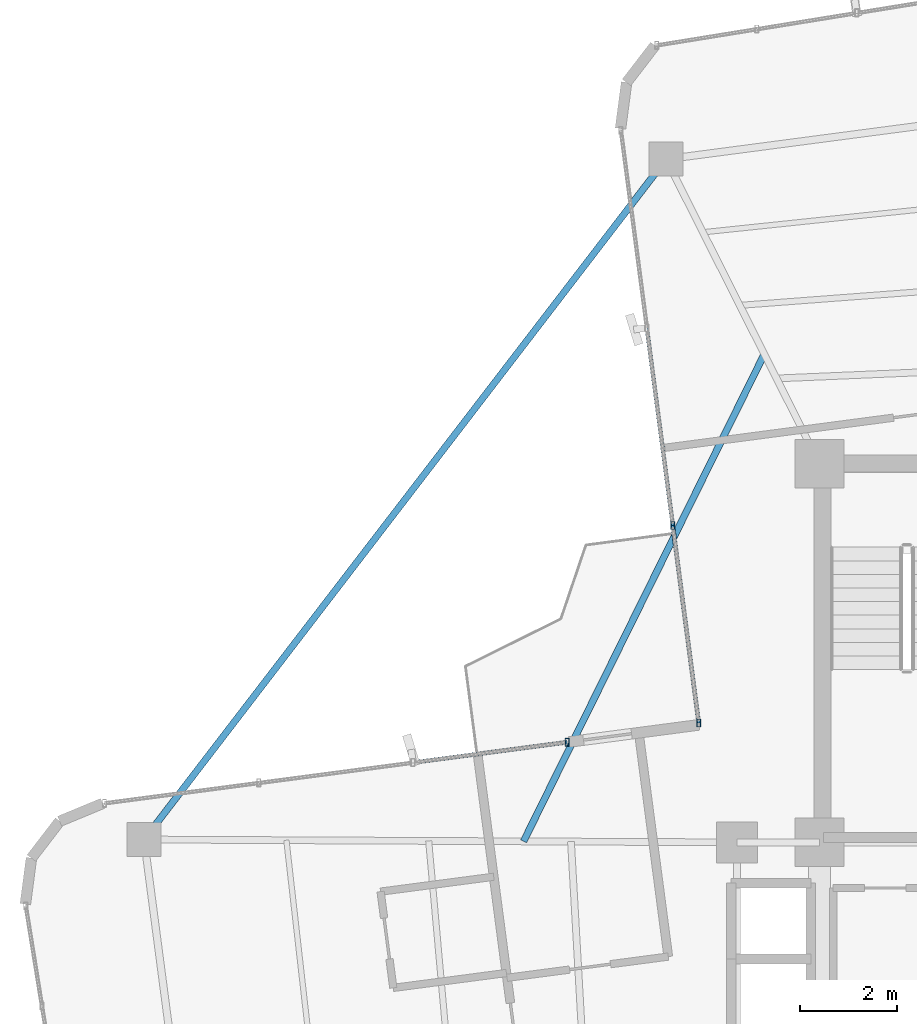
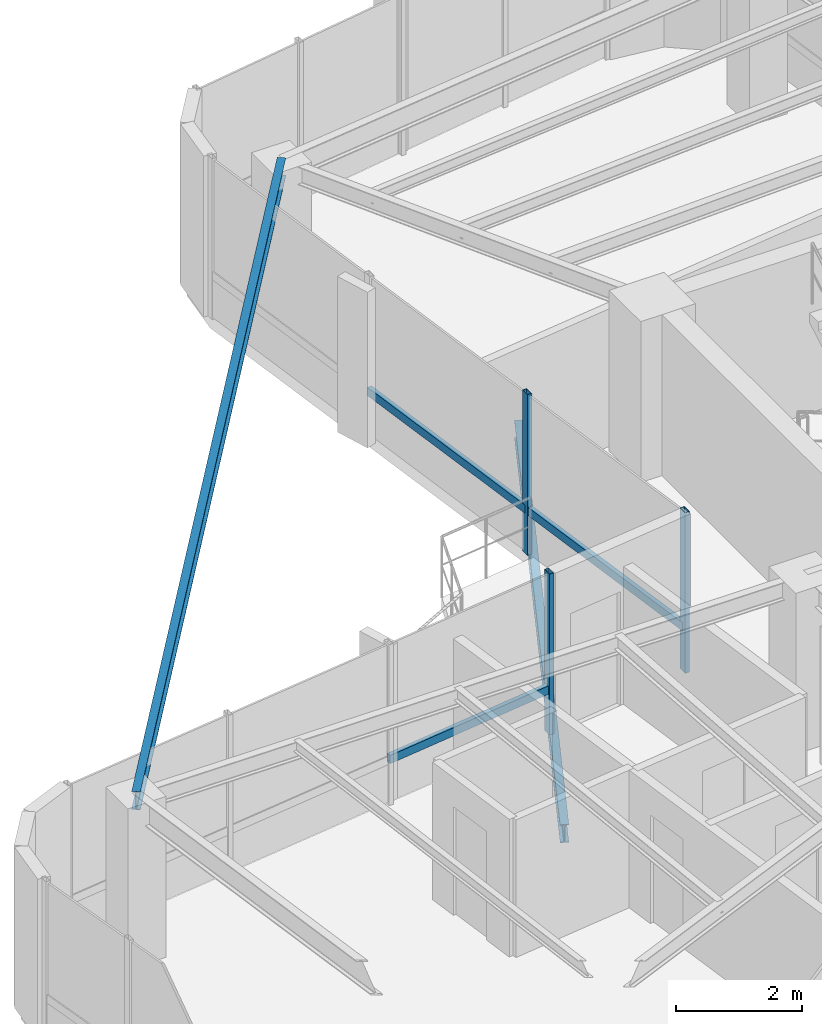
# One storey, part 9 of 22: 6 members, 2 beams, 2 elements without a shape of their own.
"""IFC4 building model written with IfcOpenShell, lengths in metres."""

from ifc_helpers import new_model, si_unit, direction, frame, origin, origin_2d, place, context, subcontext, project, spatial, hollow_rectangle, i_section, extrude, source, transform, mapped, material, material_profile, profile_set, type_object, element, aggregate, save


model = new_model("IFC4")

# Units and contexts
model_context = context("Model", 3, precision=1e-05, world=origin(), true_north=direction((0.0, 1.0)))
body_context = subcontext(model_context, "Body", "Model", "MODEL_VIEW")
ifc_project = project(units=[si_unit("LENGTHUNIT", "METRE"), si_unit("AREAUNIT", "SQUARE_METRE"), si_unit("VOLUMEUNIT", "CUBIC_METRE"), si_unit("PLANEANGLEUNIT", "RADIAN"), si_unit("MASSUNIT", "GRAM", prefix="KILO")], contexts=[model_context])

# Site, building, storey
site_placement = place(None, origin())
site = spatial("IfcSite", under=ifc_project, at=site_placement, CompositionType="ELEMENT")
building_placement = place(site_placement, origin())
building = spatial("IfcBuilding", under=site, at=building_placement, Name="Sahyath Konkavel Grand Hotel", CompositionType="ELEMENT")
storey_placement = place(building_placement, frame((0.0, 0.0, 269.10009765625)))
storey = spatial("IfcBuildingStorey", under=building, at=storey_placement, Name="L75", CompositionType="ELEMENT", Elevation=269.10009765625)

# Beam
ifc_material_1 = material(Name="Steel E350", Category="steel")
ifc_material_profile_1 = material_profile(ifc_material_1, i_section(OverallWidth=0.139892578125, OverallDepth=0.35009765625, WebThickness=0.008056640625, FlangeThickness=0.01416015625, FilletRadius=0.013916015625, at=origin_2d()), Name="ISMB 350")
ifc_profile_set_1 = profile_set([ifc_material_profile_1], Name="Steel E350")
beam_type_1 = type_object("IfcBeamType", Name="BM-ISMB350", PredefinedType="BEAM", material=ifc_profile_set_1)
shared_shape_1 = source(origin(), body_context, "Body", "SweptSolid", [
    extrude(i_section(OverallWidth=0.139892578125, OverallDepth=0.35009765625, WebThickness=0.008056640625, FlangeThickness=0.01416015625, FilletRadius=0.013916015625, at=origin_2d()), origin(), (0.0, 0.0, 1.0), 17.663330078125),
])
beam_1_placement = place(storey_placement, frame((-6.959716796875, 16.472412109375, 2.934814453125), z_axis=(-0.608754453805, -0.793358692504, 0.0), x_axis=(0.793358692504, -0.608754453805, 0.0)))
element("IfcBeam", 1, at=beam_1_placement, inside=storey, type_object=beam_type_1, Name="L75 Re-Entrant Tie Beam NW", PredefinedType="BEAM", context=body_context, shape_type="MappedRepresentation", body=[
    mapped(shared_shape_1, transform((0.0, 0.0, 0.0), scale=1.0)),
])

# Curtain wall, members
ifc_material_2 = material(Name="Anodised Bronze Aluminium & Low-E Glazing", Category="aluminium")
curtain_wall_type = type_object("IfcCurtainWallType", Name="CW-ZONE4", PredefinedType="NOTDEFINED", material=ifc_material_2)
curtain_wall_1_placement = place(storey_placement, origin())
curtain_wall_1 = element("IfcCurtainWall", 2, at=curtain_wall_1_placement, inside=storey, type_object=curtain_wall_type, Name="L75 Unitised Curtain Wall F15", PredefinedType="NOTDEFINED")
ifc_material_3 = material(Name="Anodised Bronze Aluminium", Category="aluminium")
ifc_material_profile_2 = material_profile(ifc_material_3, hollow_rectangle(XDim=0.080078125, YDim=0.159912109375, WallThickness=0.006103515625, at=origin_2d()), Name="RHS 160x80x6")
ifc_profile_set_2 = profile_set([ifc_material_profile_2], Name="Anodised Bronze Aluminium")
member_type_1 = type_object("IfcMemberType", Name="CW-MUL-160", PredefinedType="MULLION", material=ifc_profile_set_2)
shared_shape_2 = source(origin(), body_context, "Body", "SweptSolid", [
    extrude(hollow_rectangle(XDim=0.080078125, YDim=0.159912109375, WallThickness=0.006103515625, at=origin_2d()), origin(), (0.0, 0.0, 1.0), 3.10986328125),
])
member_1_placement = place(storey_placement, frame((-6.82373046875, 8.928955078125, 0.0), z_axis=(0.0, 0.0, 1.0), x_axis=(1.0, 0.0, 0.0)))
member_1 = element("IfcMember", 3, at=member_1_placement, type_object=member_type_1, Name="L75 Curtain Wall Mullion F15-2", PredefinedType="MULLION", context=body_context, shape_type="MappedRepresentation", body=[
    mapped(shared_shape_2, transform((0.0, 0.0, 0.0), scale=1.0)),
])
member_2_placement = place(storey_placement, frame((-6.2880859375, 4.86083984375, 0.0), z_axis=(0.0, 0.0, 1.0), x_axis=(1.0, 0.0, 0.0)))
member_2 = element("IfcMember", 4, at=member_2_placement, type_object=member_type_1, Name="L75 Curtain Wall Mullion F15-3", PredefinedType="MULLION", context=body_context, shape_type="MappedRepresentation", body=[
    mapped(shared_shape_2, transform((0.0, 0.0, 0.0), scale=1.0)),
])

curtain_wall_2_placement = place(storey_placement, origin())
curtain_wall_2 = element("IfcCurtainWall", 5, at=curtain_wall_2_placement, inside=storey, type_object=curtain_wall_type, Name="L75 Unitised Curtain Wall F16", PredefinedType="NOTDEFINED")
member_3_placement = place(storey_placement, frame((-8.99951171875, 4.46337890625, 0.0), z_axis=(0.0, 0.0, 1.0), x_axis=(1.0, 0.0, 0.0)))
member_3 = element("IfcMember", 6, at=member_3_placement, type_object=member_type_1, Name="L75 Curtain Wall Mullion F16-0", PredefinedType="MULLION", context=body_context, shape_type="MappedRepresentation", body=[
    mapped(shared_shape_2, transform((0.0, 0.0, 0.0), scale=1.0)),
])
ifc_material_profile_3 = material_profile(ifc_material_3, hollow_rectangle(XDim=0.080078125, YDim=0.159912109375, WallThickness=0.006103515625, at=origin_2d()), Name="RHS 160x80x6")
ifc_profile_set_3 = profile_set([ifc_material_profile_3], Name="Anodised Bronze Aluminium")
member_type_2 = type_object("IfcMemberType", Name="CW-TRN-160", PredefinedType="USERDEFINED", material=ifc_profile_set_3)
shared_shape_3 = source(origin(), body_context, "Body", "SweptSolid", [
    extrude(hollow_rectangle(XDim=0.080078125, YDim=0.159912109375, WallThickness=0.006103515625, at=origin_2d()), origin(), (0.0, 0.0, 1.0), 3.203369140625),
])
member_4_placement = place(storey_placement, frame((-8.99951171875, 4.46337890625, 0.849853515625), z_axis=(-0.991451441867, -0.130476198668, 0.0), x_axis=(0.130476198668, -0.991451441867, 0.0)))
member_4 = element("IfcMember", 7, at=member_4_placement, type_object=member_type_2, Name="L75 Curtain Wall Transom F16-0-spandrel", ObjectType="TRANSOM", PredefinedType="USERDEFINED", context=body_context, shape_type="MappedRepresentation", body=[
    mapped(shared_shape_3, transform((0.0, 0.0, 0.0), scale=1.0)),
])
aggregate(curtain_wall_2, [member_3, member_4])

# Member
shared_shape_4 = source(origin(), body_context, "Body", "SweptSolid", [
    extrude(hollow_rectangle(XDim=0.080078125, YDim=0.159912109375, WallThickness=0.006103515625, at=origin_2d()), origin(), (0.0, 0.0, 1.0), 4.103271484375),
])
member_5_placement = place(storey_placement, frame((-6.82373046875, 8.928955078125, 0.849853515625), z_axis=(0.130542242661, -0.991442748161, 0.0), x_axis=(0.991442748161, 0.130542242661, 0.0)))
member_5 = element("IfcMember", 8, at=member_5_placement, type_object=member_type_2, Name="L75 Curtain Wall Transom F15-2-spandrel", ObjectType="TRANSOM", PredefinedType="USERDEFINED", context=body_context, shape_type="MappedRepresentation", body=[
    mapped(shared_shape_4, transform((0.0, 0.0, 0.0), scale=1.0)),
])

shared_shape_5 = source(origin(), body_context, "Body", "SweptSolid", [
    extrude(hollow_rectangle(XDim=0.080078125, YDim=0.159912109375, WallThickness=0.006103515625, at=origin_2d()), origin(), (0.0, 0.0, 1.0), 4.103515625),
])
member_6_placement = place(storey_placement, frame((-7.359619140625, 12.997314453125, 0.849853515625), z_axis=(0.130593024052, -0.991436060505, 0.0), x_axis=(0.991436060505, 0.130593024052, 0.0)))
member_6 = element("IfcMember", 9, at=member_6_placement, type_object=member_type_2, Name="L75 Curtain Wall Transom F15-1-spandrel", ObjectType="TRANSOM", PredefinedType="USERDEFINED", context=body_context, shape_type="MappedRepresentation", body=[
    mapped(shared_shape_5, transform((0.0, 0.0, 0.0), scale=1.0)),
])

aggregate(curtain_wall_1, [member_1, member_2, member_6, member_5])

# Beam
ifc_material_profile_4 = material_profile(ifc_material_1, i_section(OverallWidth=0.139892578125, OverallDepth=0.35009765625, WebThickness=0.008056640625, FlangeThickness=0.01416015625, FilletRadius=0.013916015625, at=origin_2d()), Name="ISMB 350")
ifc_profile_set_4 = profile_set([ifc_material_profile_4], Name="Steel E350")
beam_type_2 = type_object("IfcBeamType", Name="BM-BALC-CANT", PredefinedType="BEAM", material=ifc_profile_set_4)
shared_shape_6 = source(origin(), body_context, "Body", "SweptSolid", [
    extrude(i_section(OverallWidth=0.139892578125, OverallDepth=0.35009765625, WebThickness=0.008056640625, FlangeThickness=0.01416015625, FilletRadius=0.013916015625, at=origin_2d()), origin(), (0.0, 0.0, 1.0), 11.19482421875),
])
beam_2_placement = place(storey_placement, frame((-4.9375, 12.4580078125, -0.4150390625), z_axis=(-0.442969049107, -0.896536904725, 0.0), x_axis=(0.896536904725, -0.442969049107, 0.0)))
element("IfcBeam", 10, at=beam_2_placement, inside=storey, type_object=beam_type_2, Name="L75 Balcony Cantilever Support Beam NW", PredefinedType="BEAM", context=body_context, shape_type="MappedRepresentation", body=[
    mapped(shared_shape_6, transform((0.0, 0.0, 0.0), scale=1.0)),
])

save(model, "model.ifc")
